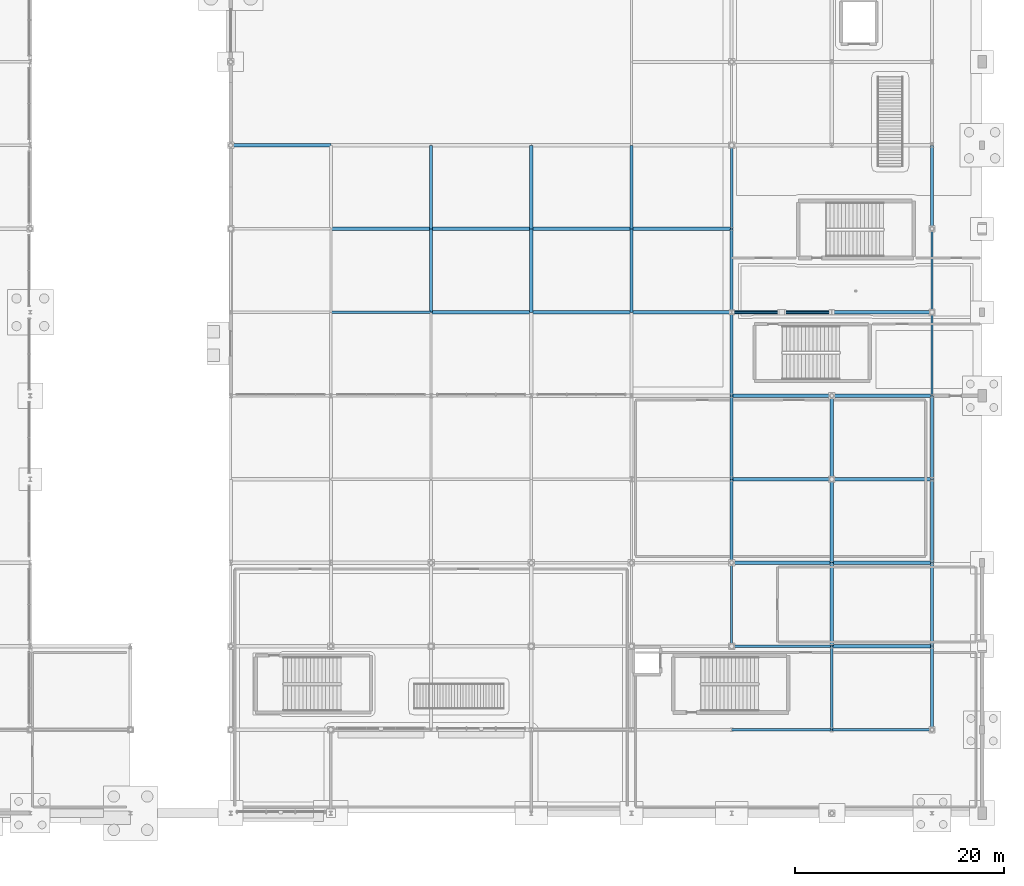
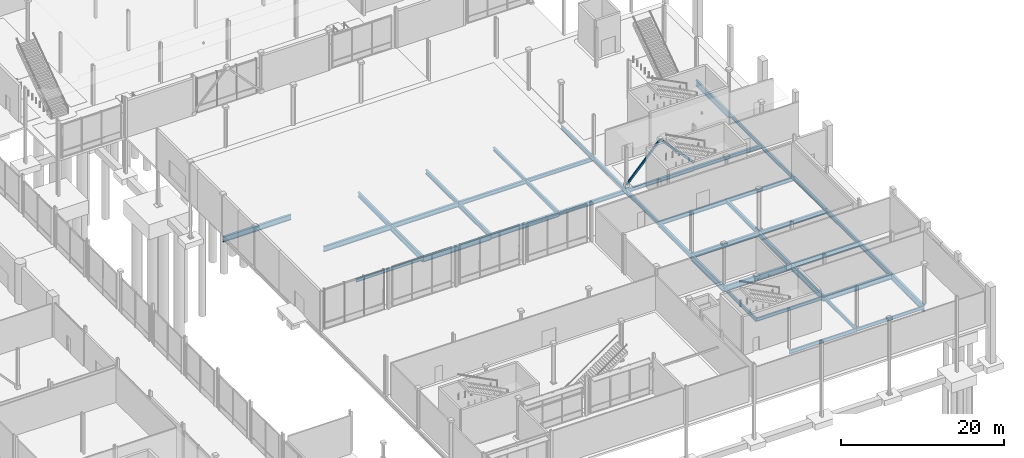
# One storey, part 58 of 124: 44 beams, 2 members.
"""IFC4 building model written with IfcOpenShell, lengths in metres."""

import ifcopenshell
import ifcopenshell.guid

model = None  # the IFC model being written
_history = None  # IfcOwnerHistory: only IFC2X3 demands one
_inside = {}  # id of a spatial element -> (the spatial element, [elements in it])
_under = {}  # id of a project, library or spatial element -> (it, [spatial elements below it])
_declared = {}  # id of a project -> (the project, [libraries it declares])
_typed = {}  # id of a type object -> (the type object, [elements of that type])
_made_of = {}  # id of a material, layer set ... -> (it, [elements and type objects made of it])


def new_model(schema):
    """Start an empty IFC model of exactly this schema.

    Asked for "IFC4X3", IfcOpenShell would pick the latest addendum, in which some entities
    have other attributes; the version numbers below select the first issue.
    IFC2X3 requires an IfcOwnerHistory on every rooted entity: one is made here for all.
    """
    global model, _history
    if schema == "IFC4X3":
        model = ifcopenshell.file(schema_version=(4, 3, 0, 0))
    else:
        model = ifcopenshell.file(schema=schema)
    _inside.clear()
    _under.clear()
    _declared.clear()
    _typed.clear()
    _made_of.clear()
    _history = None
    if model.schema == "IFC2X3":
        org = make("IfcOrganization", Name="unknown")
        user = make(
            "IfcPersonAndOrganization",
            ThePerson=make("IfcPerson", FamilyName="unknown"),
            TheOrganization=org,
        )
        app = make(
            "IfcApplication",
            ApplicationDeveloper=org,
            Version="unknown",
            ApplicationFullName="unknown",
            ApplicationIdentifier="unknown",
        )
        _history = make(
            "IfcOwnerHistory",
            OwningUser=user,
            OwningApplication=app,
            ChangeAction="ADDED",
            CreationDate=0,
        )
    return model


def make(cls, **values):
    """One entity of the class cls with the attributes given. An attribute that is None is left unset."""
    return model.create_entity(
        cls, **{name: value for name, value in values.items() if value is not None}
    )


def rooted(cls, **values):
    """An entity with a GlobalId (a new one), such as an element, a storey or a relation."""
    return make(cls, GlobalId=ifcopenshell.guid.new(), OwnerHistory=_history, **values)


def si_unit(unit_type, name, prefix=None):
    """IfcSIUnit, for example si_unit("LENGTHUNIT", "METRE", prefix="MILLI")."""
    return make("IfcSIUnit", UnitType=unit_type, Prefix=prefix, Name=name)


def assignment(units):
    """IfcUnitAssignment: the units of a project."""
    return None if units is None else make("IfcUnitAssignment", Units=units)


def point(xyz):
    """IfcCartesianPoint."""
    return None if xyz is None else make("IfcCartesianPoint", Coordinates=xyz)


def direction(xyz):
    """IfcDirection."""
    return None if xyz is None else make("IfcDirection", DirectionRatios=xyz)


def frame(location, z_axis=None, x_axis=None):
    """IfcAxis2Placement3D, a coordinate frame: its origin and axes. An axis left out is left unset."""
    return make(
        "IfcAxis2Placement3D",
        Location=point(location),
        Axis=direction(z_axis),
        RefDirection=direction(x_axis),
    )


def frame_2d(location, x_axis=None):
    """IfcAxis2Placement2D, a coordinate frame in the plane: its origin and x axis."""
    return make(
        "IfcAxis2Placement2D", Location=point(location), RefDirection=direction(x_axis)
    )


def origin():
    """The frame at (0, 0, 0) with its axes left unset."""
    return frame((0.0, 0.0, 0.0))


def origin_2d():
    """The frame at (0, 0) in the plane with its x axis left unset."""
    return frame_2d((0.0, 0.0))


def place(relative_to, where):
    """IfcLocalPlacement: puts the frame where relative to a parent placement (None: the world)."""
    return make(
        "IfcLocalPlacement", PlacementRelTo=relative_to, RelativePlacement=where
    )


def context(
    kind, dimensions, precision=None, world=None, true_north=None, identifier=None
):
    """IfcGeometricRepresentationContext, for example the 3D "Model" context."""
    return make(
        "IfcGeometricRepresentationContext",
        ContextIdentifier=identifier,
        ContextType=kind,
        CoordinateSpaceDimension=dimensions,
        Precision=precision,
        WorldCoordinateSystem=world,
        TrueNorth=true_north,
    )


def subcontext(parent, identifier, kind, view, scale=None):
    """IfcGeometricRepresentationSubContext, for example "Body" below "Model"."""
    return make(
        "IfcGeometricRepresentationSubContext",
        ContextIdentifier=identifier,
        ContextType=kind,
        ParentContext=parent,
        TargetScale=scale,
        TargetView=view,
    )


def project(units=None, contexts=None):
    """IfcProject with its units and contexts."""
    return rooted(
        "IfcProject",
        Name="project",
        RepresentationContexts=contexts,
        UnitsInContext=assignment(units),
    )


def spatial(cls, under=None, at=None, **own):
    """A site, building, storey or space (cls), placed at a placement, below another one or the project."""
    s = rooted(cls, ObjectPlacement=at, **own)
    if under is not None:
        _under.setdefault(under.id(), (under, []))[1].append(s)
    return s


def profile(cls, at=None, kind="AREA", **sizes):
    """A parametric profile (cls). Its sizes go by their IFC names, for example OverallWidth=200.0."""
    return make(cls, ProfileType=kind, Position=at, **sizes)


def hollow_rectangle(**sizes):
    """IfcRectangleHollowProfileDef."""
    return profile("IfcRectangleHollowProfileDef", **sizes)


def i_section(**sizes):
    """IfcIShapeProfileDef."""
    return profile("IfcIShapeProfileDef", **sizes)


def extrude(swept, where, along, depth):
    """IfcExtrudedAreaSolid: the profile swept, set in the frame where, extruded along a direction by depth."""
    return make(
        "IfcExtrudedAreaSolid",
        SweptArea=swept,
        Position=where,
        ExtrudedDirection=direction(along),
        Depth=depth,
    )


def shape(context_of_items, identifier, shape_type, items):
    """IfcShapeRepresentation: the items that make up one representation, for example the "Body"."""
    return make(
        "IfcShapeRepresentation",
        ContextOfItems=context_of_items,
        RepresentationIdentifier=identifier,
        RepresentationType=shape_type,
        Items=items,
    )


def material(Name=None, Category=None):
    """IfcMaterial."""
    return make("IfcMaterial", Name=Name, Category=Category)


def material_profile(
    of_material, cross_section, Name=None, Category=None, Priority=None
):
    """IfcMaterialProfile: a cross section and its material."""
    return make(
        "IfcMaterialProfile",
        Name=Name,
        Material=of_material,
        Profile=cross_section,
        Priority=Priority,
        Category=Category,
    )


def profile_set(profiles, Name=None, composite=None):
    """IfcMaterialProfileSet."""
    return make(
        "IfcMaterialProfileSet",
        Name=Name,
        MaterialProfiles=profiles,
        CompositeProfile=composite,
    )


def made_of(thing, what):
    """Note that an element or type object is made of a material, layer set ...; save() writes the relation."""
    if what is not None:
        _made_of.setdefault(what.id(), (what, []))[1].append(thing)
    return thing


def type_object(cls, material=None, **own):
    """A type object (cls), such as IfcWallType, which elements share."""
    return made_of(rooted(cls, **own), material)


def element(
    cls,
    number,
    at=None,
    inside=None,
    cuts=None,
    type_object=None,
    material=None,
    context=None,
    identifier="Body",
    shape_type=None,
    held_by="IfcProductDefinitionShape",
    body=None,
    shapes=None,
    **own,
):
    """One element of the class cls, such as IfcWall. Its Tag is "e" and its number.

    at: its placement. inside: the storey or other place that contains it. cuts: it is an
    opening in that element (IfcRelVoidsElement). A single representation is given by context,
    identifier, shape_type and body (its items); several are given by shapes. held_by: the class
    of the entity that holds the representations. save() writes the other relations.
    """
    e = rooted(cls, Tag="e%d" % number, ObjectPlacement=at, **own)
    if body is not None:
        shapes = [shape(context, identifier, shape_type, body)]
    if shapes is not None:
        e.Representation = make(held_by, Representations=shapes)
    if inside is not None:
        _inside.setdefault(inside.id(), (inside, []))[1].append(e)
    if cuts is not None:
        rooted(
            "IfcRelVoidsElement", RelatingBuildingElement=cuts, RelatedOpeningElement=e
        )
    if type_object is not None:
        _typed.setdefault(type_object.id(), (type_object, []))[1].append(e)
    return made_of(e, material)


def aggregate(whole, parts):
    """IfcRelAggregates: a whole, such as a stair, and the parts it consists of."""
    return rooted("IfcRelAggregates", RelatingObject=whole, RelatedObjects=parts)


def save(model, path):
    """Write the relations noted so far, then the file.

    IfcRelAggregates (storeys below a building ...), IfcRelContainedInSpatialStructure (elements
    in a storey), IfcRelDefinesByType, IfcRelAssociatesMaterial and IfcRelDeclares: one each for
    every whole, place, type object, material and project.
    """
    for whole, parts in _under.values():
        aggregate(whole, parts)
    for where, things in _inside.values():
        rooted(
            "IfcRelContainedInSpatialStructure",
            RelatedElements=things,
            RelatingStructure=where,
        )
    for kind, things in _typed.values():
        rooted("IfcRelDefinesByType", RelatedObjects=things, RelatingType=kind)
    for what, things in _made_of.values():
        rooted("IfcRelAssociatesMaterial", RelatedObjects=things, RelatingMaterial=what)
    for by, libraries in _declared.values():
        rooted("IfcRelDeclares", RelatingContext=by, RelatedDefinitions=libraries)
    model.write(path)


model = new_model("IFC4")

# Units and contexts
model_context = context("Model", 3, precision=1e-05, world=origin(), true_north=direction((0.0, 1.0)))
body_context = subcontext(model_context, "Body", "Model", "MODEL_VIEW")
ifc_project = project(units=[si_unit("LENGTHUNIT", "METRE"), si_unit("AREAUNIT", "SQUARE_METRE"), si_unit("VOLUMEUNIT", "CUBIC_METRE"), si_unit("PLANEANGLEUNIT", "RADIAN"), si_unit("MASSUNIT", "GRAM", prefix="KILO")], contexts=[model_context])

# Site, building, storey
site_placement = place(None, origin())
site = spatial("IfcSite", under=ifc_project, at=site_placement, CompositionType="ELEMENT")
building_placement = place(site_placement, origin())
building = spatial("IfcBuilding", under=site, at=building_placement, Name="Danafjord Basin Convention Centre", CompositionType="ELEMENT")
storey_placement = place(building_placement, origin())
storey = spatial("IfcBuildingStorey", under=building, at=storey_placement, Name="L00", CompositionType="ELEMENT", Elevation=0.0)

# Beams
ifc_material = material(Name="Steel S355", Category="steel")
ifc_material_profile_1 = material_profile(ifc_material, i_section(OverallWidth=0.300048828125, OverallDepth=0.5, WebThickness=0.014404296875, FlangeThickness=0.028076171875, FilletRadius=0.027099609375, at=origin_2d()), Name="HEB 500")
ifc_profile_set_1 = profile_set([ifc_material_profile_1], Name="Steel S355")
beam_type_1 = type_object("IfcBeamType", Name="BEAM-BM-HEB500", PredefinedType="BEAM", material=ifc_profile_set_1)
beam_1_placement = place(storey_placement, frame((201.60009765625, 48.0, -0.610107421875), z_axis=(1.0, 0.0, 0.0), x_axis=(0.0, 1.0, 0.0)))
element("IfcBeam", 1, at=beam_1_placement, inside=storey, type_object=beam_type_1, Name="L00 girder BM-HEB500", PredefinedType="BEAM", context=body_context, shape_type="SweptSolid", body=[
    extrude(i_section(OverallWidth=0.300048828125, OverallDepth=0.5, WebThickness=0.014404296875, FlangeThickness=0.028076171875, FilletRadius=0.027099609375, at=origin_2d()), origin(), (0.0, 0.0, 1.0), 9.599853515625),
])
for number, where, z_axis, x_axis, name in (
    (2, (182.39990234375, 56.0, -0.6298828125), (0.0, 1.0, 0.0), (-1.0, 0.0, 0.0), "L00 transverse girder BM-HEB500"),
    (3, (192.0, 48.0, -0.610107421875), (0.0, 1.0, 0.0), (-1.0, 0.0, 0.0), "L00 transverse girder BM-HEB500"),
    (4, (211.199951171875, 32.0, -0.610107421875), (0.0, 1.0, 0.0), (-1.0, 0.0, 0.0), "L00 transverse girder BM-HEB500"),
):
    element("IfcBeam", number, at=place(storey_placement, frame(where, z_axis=z_axis, x_axis=x_axis)), inside=storey, type_object=beam_type_1, Name=name, PredefinedType="BEAM", context=body_context, shape_type="SweptSolid", body=[
        extrude(i_section(OverallWidth=0.300048828125, OverallDepth=0.5, WebThickness=0.014404296875, FlangeThickness=0.028076171875, FilletRadius=0.027099609375, at=origin_2d()), origin(), (0.0, 0.0, 1.0), 8.0),
    ])
ifc_material_profile_2 = material_profile(ifc_material, i_section(OverallWidth=0.300048828125, OverallDepth=0.550048828125, WebThickness=0.014892578125, FlangeThickness=0.029052734375, FilletRadius=0.027099609375, at=origin_2d()), Name="HEB 550")
ifc_profile_set_2 = profile_set([ifc_material_profile_2], Name="Steel S355")
beam_type_2 = type_object("IfcBeamType", Name="BEAM-BM-HEB550", PredefinedType="BEAM", material=ifc_profile_set_2)
for number, where, z_axis, x_axis, name in (
    (5, (182.39990234375, 56.0, -0.635009765625), (1.0, 0.0, 0.0), (0.0, 1.0, 0.0), "L00 girder BM-HEB550"),
    (6, (192.0, 48.0, -0.635009765625), (1.0, 0.0, 0.0), (0.0, 1.0, 0.0), "L00 girder BM-HEB550"),
):
    element("IfcBeam", number, at=place(storey_placement, frame(where, z_axis=z_axis, x_axis=x_axis)), inside=storey, type_object=beam_type_2, Name=name, PredefinedType="BEAM", context=body_context, shape_type="SweptSolid", body=[
        extrude(i_section(OverallWidth=0.300048828125, OverallDepth=0.550048828125, WebThickness=0.014892578125, FlangeThickness=0.029052734375, FilletRadius=0.027099609375, at=origin_2d()), origin(), (0.0, 0.0, 1.0), 9.60009765625),
    ])
beam_2_placement = place(storey_placement, frame((201.60009765625, 40.0, -0.635009765625), z_axis=(1.0, 0.0, 0.0), x_axis=(0.0, 1.0, 0.0)))
element("IfcBeam", 7, at=beam_2_placement, inside=storey, type_object=beam_type_2, Name="L00 girder BM-HEB550", PredefinedType="BEAM", context=body_context, shape_type="SweptSolid", body=[
    extrude(i_section(OverallWidth=0.300048828125, OverallDepth=0.550048828125, WebThickness=0.014892578125, FlangeThickness=0.029052734375, FilletRadius=0.027099609375, at=origin_2d()), origin(), (0.0, 0.0, 1.0), 9.599853515625),
])
ifc_material_profile_3 = material_profile(ifc_material, i_section(OverallWidth=0.300048828125, OverallDepth=0.60009765625, WebThickness=0.015380859375, FlangeThickness=0.030029296875, FilletRadius=0.027099609375, at=origin_2d()), Name="HEB 600")
ifc_profile_set_3 = profile_set([ifc_material_profile_3], Name="Steel S355")
beam_type_3 = type_object("IfcBeamType", Name="BEAM-BM-HEB600", PredefinedType="BEAM", material=ifc_profile_set_3)
beam_3_placement = place(storey_placement, frame((172.800048828125, 56.0, -0.679931640625), z_axis=(1.0, 0.0, 0.0), x_axis=(0.0, 1.0, 0.0)))
element("IfcBeam", 8, at=beam_3_placement, inside=storey, type_object=beam_type_3, Name="L00 girder BM-HEB600", PredefinedType="BEAM", context=body_context, shape_type="SweptSolid", body=[
    extrude(i_section(OverallWidth=0.300048828125, OverallDepth=0.60009765625, WebThickness=0.015380859375, FlangeThickness=0.030029296875, FilletRadius=0.027099609375, at=origin_2d()), origin(), (0.0, 0.0, 1.0), 9.599853515625),
])
for number, where, z_axis, x_axis, name in (
    (9, (182.39990234375, 48.0, -0.659912109375), (1.0, 0.0, 0.0), (0.0, 1.0, 0.0), "L00 girder BM-HEB600"),
    (10, (192.0, 40.0, -0.659912109375), (1.0, 0.0, 0.0), (0.0, 1.0, 0.0), "L00 girder BM-HEB600"),
):
    element("IfcBeam", number, at=place(storey_placement, frame(where, z_axis=z_axis, x_axis=x_axis)), inside=storey, type_object=beam_type_3, Name=name, PredefinedType="BEAM", context=body_context, shape_type="SweptSolid", body=[
        extrude(i_section(OverallWidth=0.300048828125, OverallDepth=0.60009765625, WebThickness=0.015380859375, FlangeThickness=0.030029296875, FilletRadius=0.027099609375, at=origin_2d()), origin(), (0.0, 0.0, 1.0), 9.60009765625),
    ])
beam_4_placement = place(storey_placement, frame((201.60009765625, 32.0, -0.659912109375), z_axis=(1.0, 0.0, 0.0), x_axis=(0.0, 1.0, 0.0)))
element("IfcBeam", 11, at=beam_4_placement, inside=storey, type_object=beam_type_3, Name="L00 girder BM-HEB600", PredefinedType="BEAM", context=body_context, shape_type="SweptSolid", body=[
    extrude(i_section(OverallWidth=0.300048828125, OverallDepth=0.60009765625, WebThickness=0.015380859375, FlangeThickness=0.030029296875, FilletRadius=0.027099609375, at=origin_2d()), origin(), (0.0, 0.0, 1.0), 9.599853515625),
])
for number, where, z_axis, x_axis, name in (
    (12, (172.800048828125, 56.0, -0.679931640625), (0.0, 1.0, 0.0), (-1.0, 0.0, 0.0), "L00 transverse girder BM-HEB600"),
    (13, (182.39990234375, 48.0, -0.679931640625), (0.0, 1.0, 0.0), (-1.0, 0.0, 0.0), "L00 transverse girder BM-HEB600"),
    (14, (192.0, 40.0, -0.659912109375), (0.0, 1.0, 0.0), (-1.0, 0.0, 0.0), "L00 transverse girder BM-HEB600"),
    (15, (201.60009765625, 32.0, -0.659912109375), (0.0, 1.0, 0.0), (-1.0, 0.0, 0.0), "L00 transverse girder BM-HEB600"),
    (16, (211.199951171875, 24.0, -0.659912109375), (0.0, 1.0, 0.0), (-1.0, 0.0, 0.0), "L00 transverse girder BM-HEB600"),
):
    element("IfcBeam", number, at=place(storey_placement, frame(where, z_axis=z_axis, x_axis=x_axis)), inside=storey, type_object=beam_type_3, Name=name, PredefinedType="BEAM", context=body_context, shape_type="SweptSolid", body=[
        extrude(i_section(OverallWidth=0.300048828125, OverallDepth=0.60009765625, WebThickness=0.015380859375, FlangeThickness=0.030029296875, FilletRadius=0.027099609375, at=origin_2d()), origin(), (0.0, 0.0, 1.0), 8.0),
    ])
ifc_material_profile_4 = material_profile(ifc_material, i_section(OverallWidth=0.300048828125, OverallDepth=0.699951171875, WebThickness=0.01708984375, FlangeThickness=0.031982421875, FilletRadius=0.027099609375, at=origin_2d()), Name="HEB 700")
ifc_profile_set_4 = profile_set([ifc_material_profile_4], Name="Steel S355")
beam_type_4 = type_object("IfcBeamType", Name="BEAM-BM-HEB700", PredefinedType="BEAM", material=ifc_profile_set_4)
beam_5_placement = place(storey_placement, frame((163.199951171875, 56.0, -0.72998046875), z_axis=(1.0, 0.0, 0.0), x_axis=(0.0, 1.0, 0.0)))
element("IfcBeam", 17, at=beam_5_placement, inside=storey, type_object=beam_type_4, Name="L00 girder BM-HEB700", PredefinedType="BEAM", context=body_context, shape_type="SweptSolid", body=[
    extrude(i_section(OverallWidth=0.300048828125, OverallDepth=0.699951171875, WebThickness=0.01708984375, FlangeThickness=0.031982421875, FilletRadius=0.027099609375, at=origin_2d()), origin(), (0.0, 0.0, 1.0), 9.60009765625),
])
beam_6_placement = place(storey_placement, frame((172.800048828125, 48.0, -0.72998046875), z_axis=(1.0, 0.0, 0.0), x_axis=(0.0, 1.0, 0.0)))
element("IfcBeam", 18, at=beam_6_placement, inside=storey, type_object=beam_type_4, Name="L00 girder BM-HEB700", PredefinedType="BEAM", context=body_context, shape_type="SweptSolid", body=[
    extrude(i_section(OverallWidth=0.300048828125, OverallDepth=0.699951171875, WebThickness=0.01708984375, FlangeThickness=0.031982421875, FilletRadius=0.027099609375, at=origin_2d()), origin(), (0.0, 0.0, 1.0), 9.599853515625),
])
beam_7_placement = place(storey_placement, frame((192.0, 32.0, -0.7099609375), z_axis=(1.0, 0.0, 0.0), x_axis=(0.0, 1.0, 0.0)))
element("IfcBeam", 19, at=beam_7_placement, inside=storey, type_object=beam_type_4, Name="L00 girder BM-HEB700", PredefinedType="BEAM", context=body_context, shape_type="SweptSolid", body=[
    extrude(i_section(OverallWidth=0.300048828125, OverallDepth=0.699951171875, WebThickness=0.01708984375, FlangeThickness=0.031982421875, FilletRadius=0.027099609375, at=origin_2d()), origin(), (0.0, 0.0, 1.0), 9.60009765625),
])
beam_8_placement = place(storey_placement, frame((201.60009765625, 24.0, -0.7099609375), z_axis=(1.0, 0.0, 0.0), x_axis=(0.0, 1.0, 0.0)))
element("IfcBeam", 20, at=beam_8_placement, inside=storey, type_object=beam_type_4, Name="L00 girder BM-HEB700", PredefinedType="BEAM", context=body_context, shape_type="SweptSolid", body=[
    extrude(i_section(OverallWidth=0.300048828125, OverallDepth=0.699951171875, WebThickness=0.01708984375, FlangeThickness=0.031982421875, FilletRadius=0.027099609375, at=origin_2d()), origin(), (0.0, 0.0, 1.0), 9.599853515625),
])
for number, where, z_axis, x_axis, name in (
    (21, (163.199951171875, 56.0, -0.72998046875), (0.0, 1.0, 0.0), (-1.0, 0.0, 0.0), "L00 transverse girder BM-HEB700"),
    (22, (172.800048828125, 48.0, -0.72998046875), (0.0, 1.0, 0.0), (-1.0, 0.0, 0.0), "L00 transverse girder BM-HEB700"),
    (23, (192.0, 32.0, -0.7099609375), (0.0, 1.0, 0.0), (-1.0, 0.0, 0.0), "L00 transverse girder BM-HEB700"),
    (24, (201.60009765625, 24.0, -0.7099609375), (0.0, 1.0, 0.0), (-1.0, 0.0, 0.0), "L00 transverse girder BM-HEB700"),
    (25, (211.199951171875, 16.0, -0.659912109375), (0.0, 1.0, 0.0), (-1.0, 0.0, 0.0), "L00 transverse girder BM-HEB700"),
):
    element("IfcBeam", number, at=place(storey_placement, frame(where, z_axis=z_axis, x_axis=x_axis)), inside=storey, type_object=beam_type_4, Name=name, PredefinedType="BEAM", context=body_context, shape_type="SweptSolid", body=[
        extrude(i_section(OverallWidth=0.300048828125, OverallDepth=0.699951171875, WebThickness=0.01708984375, FlangeThickness=0.031982421875, FilletRadius=0.027099609375, at=origin_2d()), origin(), (0.0, 0.0, 1.0), 8.0),
    ])
ifc_material_profile_5 = material_profile(ifc_material, i_section(OverallWidth=0.300048828125, OverallDepth=0.800048828125, WebThickness=0.017578125, FlangeThickness=0.032958984375, FilletRadius=0.030029296875, at=origin_2d()), Name="HEB 800")
ifc_profile_set_5 = profile_set([ifc_material_profile_5], Name="Steel S355")
beam_type_5 = type_object("IfcBeamType", Name="BEAM-BM-HEB800", PredefinedType="BEAM", material=ifc_profile_set_5)
beam_9_placement = place(storey_placement, frame((144.0, 64.0, -0.780029296875), z_axis=(1.0, 0.0, 0.0), x_axis=(0.0, 1.0, 0.0)))
element("IfcBeam", 26, at=beam_9_placement, inside=storey, type_object=beam_type_5, Name="L00 girder BM-HEB800", PredefinedType="BEAM", context=body_context, shape_type="SweptSolid", body=[
    extrude(i_section(OverallWidth=0.300048828125, OverallDepth=0.800048828125, WebThickness=0.017578125, FlangeThickness=0.032958984375, FilletRadius=0.030029296875, at=origin_2d()), origin(), (0.0, 0.0, 1.0), 9.60009765625),
])
beam_10_placement = place(storey_placement, frame((153.60009765625, 56.0, -0.780029296875), z_axis=(1.0, 0.0, 0.0), x_axis=(0.0, 1.0, 0.0)))
element("IfcBeam", 27, at=beam_10_placement, inside=storey, type_object=beam_type_5, Name="L00 girder BM-HEB800", PredefinedType="BEAM", context=body_context, shape_type="SweptSolid", body=[
    extrude(i_section(OverallWidth=0.300048828125, OverallDepth=0.800048828125, WebThickness=0.017578125, FlangeThickness=0.032958984375, FilletRadius=0.030029296875, at=origin_2d()), origin(), (0.0, 0.0, 1.0), 9.599853515625),
])
for number, where, z_axis, x_axis, name in (
    (28, (163.199951171875, 48.0, -0.780029296875), (1.0, 0.0, 0.0), (0.0, 1.0, 0.0), "L00 girder BM-HEB800"),
    (29, (192.0, 24.0, -0.760009765625), (1.0, 0.0, 0.0), (0.0, 1.0, 0.0), "L00 girder BM-HEB800"),
):
    element("IfcBeam", number, at=place(storey_placement, frame(where, z_axis=z_axis, x_axis=x_axis)), inside=storey, type_object=beam_type_5, Name=name, PredefinedType="BEAM", context=body_context, shape_type="SweptSolid", body=[
        extrude(i_section(OverallWidth=0.300048828125, OverallDepth=0.800048828125, WebThickness=0.017578125, FlangeThickness=0.032958984375, FilletRadius=0.030029296875, at=origin_2d()), origin(), (0.0, 0.0, 1.0), 9.60009765625),
    ])
beam_11_placement = place(storey_placement, frame((201.60009765625, 16.0, -0.7099609375), z_axis=(1.0, 0.0, 0.0), x_axis=(0.0, 1.0, 0.0)))
element("IfcBeam", 30, at=beam_11_placement, inside=storey, type_object=beam_type_5, Name="L00 girder BM-HEB800", PredefinedType="BEAM", context=body_context, shape_type="SweptSolid", body=[
    extrude(i_section(OverallWidth=0.300048828125, OverallDepth=0.800048828125, WebThickness=0.017578125, FlangeThickness=0.032958984375, FilletRadius=0.030029296875, at=origin_2d()), origin(), (0.0, 0.0, 1.0), 9.599853515625),
])
ifc_material_profile_6 = material_profile(ifc_material, i_section(OverallWidth=0.300048828125, OverallDepth=0.89990234375, WebThickness=0.0185546875, FlangeThickness=0.034912109375, FilletRadius=0.030029296875, at=origin_2d()), Name="HEB 900")
ifc_profile_set_6 = profile_set([ifc_material_profile_6], Name="Steel S355")
beam_type_6 = type_object("IfcBeamType", Name="BEAM-BM-HEB900", PredefinedType="BEAM", material=ifc_profile_set_6)
for number, where, z_axis, x_axis, name in (
    (31, (163.199951171875, 48.0, -0.830078125), (0.0, 1.0, 0.0), (-1.0, 0.0, 0.0), "L00 transverse girder BM-HEB900"),
    (32, (192.0, 24.0, -0.81005859375), (0.0, 1.0, 0.0), (-1.0, 0.0, 0.0), "L00 transverse girder BM-HEB900"),
    (33, (201.60009765625, 16.0, -0.760009765625), (0.0, 1.0, 0.0), (-1.0, 0.0, 0.0), "L00 transverse girder BM-HEB900"),
    (34, (211.199951171875, 8.0, -0.760009765625), (0.0, 1.0, 0.0), (-1.0, 0.0, 0.0), "L00 transverse girder BM-HEB900"),
    (35, (211.199951171875, 56.0, -0.81005859375), (0.0, 1.0, 0.0), (-1.0, 0.0, 0.0), "L00 transverse girder BM-HEB900"),
):
    element("IfcBeam", number, at=place(storey_placement, frame(where, z_axis=z_axis, x_axis=x_axis)), inside=storey, type_object=beam_type_6, Name=name, PredefinedType="BEAM", context=body_context, shape_type="SweptSolid", body=[
        extrude(i_section(OverallWidth=0.300048828125, OverallDepth=0.89990234375, WebThickness=0.0185546875, FlangeThickness=0.034912109375, FilletRadius=0.030029296875, at=origin_2d()), origin(), (0.0, 0.0, 1.0), 8.0),
    ])
ifc_material_profile_7 = material_profile(ifc_material, i_section(OverallWidth=0.199951171875, OverallDepth=0.5, WebThickness=0.01025390625, FlangeThickness=0.01611328125, FilletRadius=0.02099609375, at=origin_2d()), Name="IPE 500")
ifc_profile_set_7 = profile_set([ifc_material_profile_7], Name="Steel S355")
beam_type_7 = type_object("IfcBeamType", Name="BEAM-BM-IPE500", PredefinedType="BEAM", material=ifc_profile_set_7)
beam_12_placement = place(storey_placement, frame((153.60009765625, 48.0, -0.6298828125), z_axis=(1.0, 0.0, 0.0), x_axis=(0.0, 1.0, 0.0)))
element("IfcBeam", 36, at=beam_12_placement, inside=storey, type_object=beam_type_7, Name="L00 girder BM-IPE500", PredefinedType="BEAM", context=body_context, shape_type="SweptSolid", body=[
    extrude(i_section(OverallWidth=0.199951171875, OverallDepth=0.5, WebThickness=0.01025390625, FlangeThickness=0.01611328125, FilletRadius=0.02099609375, at=origin_2d()), origin(), (0.0, 0.0, 1.0), 9.599853515625),
])
beam_13_placement = place(storey_placement, frame((192.0, 16.0, -0.56005859375), z_axis=(1.0, 0.0, 0.0), x_axis=(0.0, 1.0, 0.0)))
element("IfcBeam", 37, at=beam_13_placement, inside=storey, type_object=beam_type_7, Name="L00 girder BM-IPE500", PredefinedType="BEAM", context=body_context, shape_type="SweptSolid", body=[
    extrude(i_section(OverallWidth=0.199951171875, OverallDepth=0.5, WebThickness=0.01025390625, FlangeThickness=0.01611328125, FilletRadius=0.02099609375, at=origin_2d()), origin(), (0.0, 0.0, 1.0), 9.60009765625),
])
beam_14_placement = place(storey_placement, frame((201.60009765625, 8.0, -0.56005859375), z_axis=(1.0, 0.0, 0.0), x_axis=(0.0, 1.0, 0.0)))
element("IfcBeam", 38, at=beam_14_placement, inside=storey, type_object=beam_type_7, Name="L00 girder BM-IPE500", PredefinedType="BEAM", context=body_context, shape_type="SweptSolid", body=[
    extrude(i_section(OverallWidth=0.199951171875, OverallDepth=0.5, WebThickness=0.01025390625, FlangeThickness=0.01611328125, FilletRadius=0.02099609375, at=origin_2d()), origin(), (0.0, 0.0, 1.0), 9.599853515625),
])
ifc_material_profile_8 = material_profile(ifc_material, i_section(OverallWidth=0.2099609375, OverallDepth=0.550048828125, WebThickness=0.010986328125, FlangeThickness=0.01708984375, FilletRadius=0.02392578125, at=origin_2d()), Name="IPE 550")
ifc_profile_set_8 = profile_set([ifc_material_profile_8], Name="Steel S355")
beam_type_8 = type_object("IfcBeamType", Name="BEAM-BM-IPE550", PredefinedType="BEAM", material=ifc_profile_set_8)
beam_15_placement = place(storey_placement, frame((192.0, 8.0, -0.5849609375), z_axis=(1.0, 0.0, 0.0), x_axis=(0.0, 1.0, 0.0)))
element("IfcBeam", 39, at=beam_15_placement, inside=storey, type_object=beam_type_8, Name="L00 girder BM-IPE550", PredefinedType="BEAM", context=body_context, shape_type="SweptSolid", body=[
    extrude(i_section(OverallWidth=0.2099609375, OverallDepth=0.550048828125, WebThickness=0.010986328125, FlangeThickness=0.01708984375, FilletRadius=0.02392578125, at=origin_2d()), origin(), (0.0, 0.0, 1.0), 9.60009765625),
])
for number, where, z_axis, x_axis, name in (
    (40, (192.0, 16.0, -0.5849609375), (0.0, 1.0, 0.0), (-1.0, 0.0, 0.0), "L00 transverse girder BM-IPE550"),
    (41, (201.60009765625, 8.0, -0.5849609375), (0.0, 1.0, 0.0), (-1.0, 0.0, 0.0), "L00 transverse girder BM-IPE550"),
    (42, (211.199951171875, 48.0, -0.635009765625), (0.0, 1.0, 0.0), (-1.0, 0.0, 0.0), "L00 transverse girder BM-IPE550"),
):
    element("IfcBeam", number, at=place(storey_placement, frame(where, z_axis=z_axis, x_axis=x_axis)), inside=storey, type_object=beam_type_8, Name=name, PredefinedType="BEAM", context=body_context, shape_type="SweptSolid", body=[
        extrude(i_section(OverallWidth=0.2099609375, OverallDepth=0.550048828125, WebThickness=0.010986328125, FlangeThickness=0.01708984375, FilletRadius=0.02392578125, at=origin_2d()), origin(), (0.0, 0.0, 1.0), 8.0),
    ])
ifc_material_profile_9 = material_profile(ifc_material, i_section(OverallWidth=0.219970703125, OverallDepth=0.60009765625, WebThickness=0.011962890625, FlangeThickness=0.01904296875, FilletRadius=0.02392578125, at=origin_2d()), Name="IPE 600")
ifc_profile_set_9 = profile_set([ifc_material_profile_9], Name="Steel S355")
beam_type_9 = type_object("IfcBeamType", Name="BEAM-BM-IPE600", PredefinedType="BEAM", material=ifc_profile_set_9)
for number, where, z_axis, x_axis, name in (
    (43, (192.0, 56.0, -0.659912109375), (0.0, 1.0, 0.0), (-1.0, 0.0, 0.0), "L00 transverse girder BM-IPE600"),
    (44, (211.199951171875, 40.0, -0.659912109375), (0.0, 1.0, 0.0), (-1.0, 0.0, 0.0), "L00 transverse girder BM-IPE600"),
):
    element("IfcBeam", number, at=place(storey_placement, frame(where, z_axis=z_axis, x_axis=x_axis)), inside=storey, type_object=beam_type_9, Name=name, PredefinedType="BEAM", context=body_context, shape_type="SweptSolid", body=[
        extrude(i_section(OverallWidth=0.219970703125, OverallDepth=0.60009765625, WebThickness=0.011962890625, FlangeThickness=0.01904296875, FilletRadius=0.02392578125, at=origin_2d()), origin(), (0.0, 0.0, 1.0), 8.0),
    ])

# Members
ifc_material_profile_10 = material_profile(ifc_material, hollow_rectangle(XDim=0.199951171875, YDim=0.300048828125, WallThickness=0.012451171875, InnerFilletRadius=0.018798828125, OuterFilletRadius=0.03125, at=origin_2d()), Name="RHS 300x200x12.5")
ifc_profile_set_10 = profile_set([ifc_material_profile_10], Name="Steel S355")
member_type = type_object("IfcMemberType", Name="MEM-BRR-300", PredefinedType="BRACE", material=ifc_profile_set_10)
for number, where, z_axis, x_axis, name in (
    (45, (192.0, 48.0, 0.25), (0.681822621397, 0.0, 0.73151754111), (0.0, 1.0, 0.0), "Diagonal brace BRR-300 (L00 braced frame BF-08 diagonal A)"),
    (46, (201.60009765625, 48.0, 0.25), (-0.681822621397, 0.0, 0.73151754111), (0.0, -1.0, 0.0), "Diagonal brace BRR-300 (L00 braced frame BF-08 diagonal B)"),
):
    element("IfcMember", number, at=place(storey_placement, frame(where, z_axis=z_axis, x_axis=x_axis)), inside=storey, type_object=member_type, Name=name, PredefinedType="BRACE", context=body_context, shape_type="SweptSolid", body=[
        extrude(hollow_rectangle(XDim=0.199951171875, YDim=0.300048828125, WallThickness=0.012451171875, InnerFilletRadius=0.018798828125, OuterFilletRadius=0.03125, at=origin_2d()), origin(), (0.0, 0.0, 1.0), 7.0400390625),
    ])

save(model, "model.ifc")
